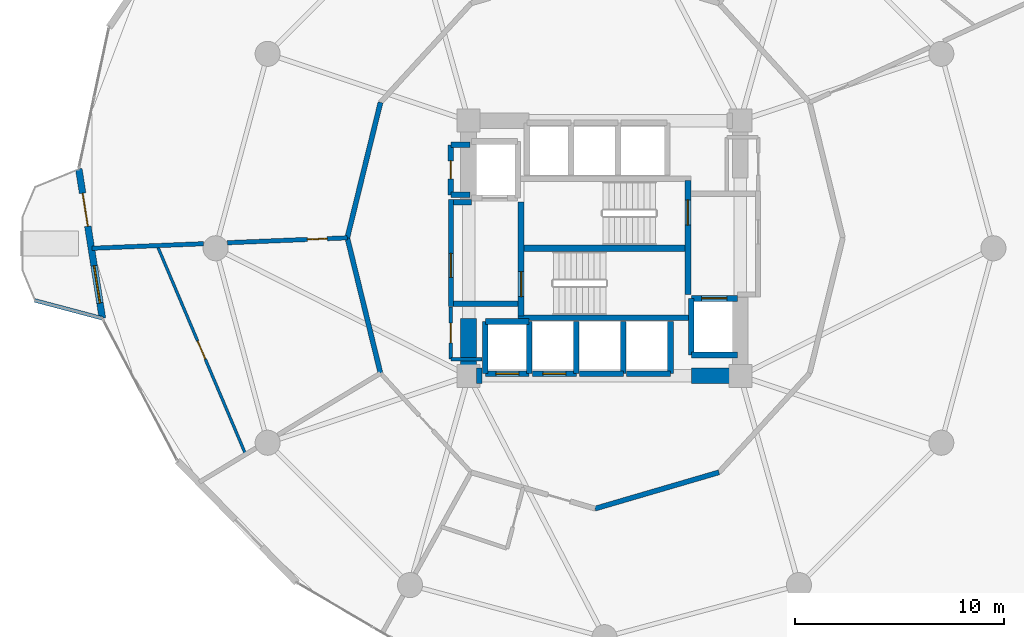
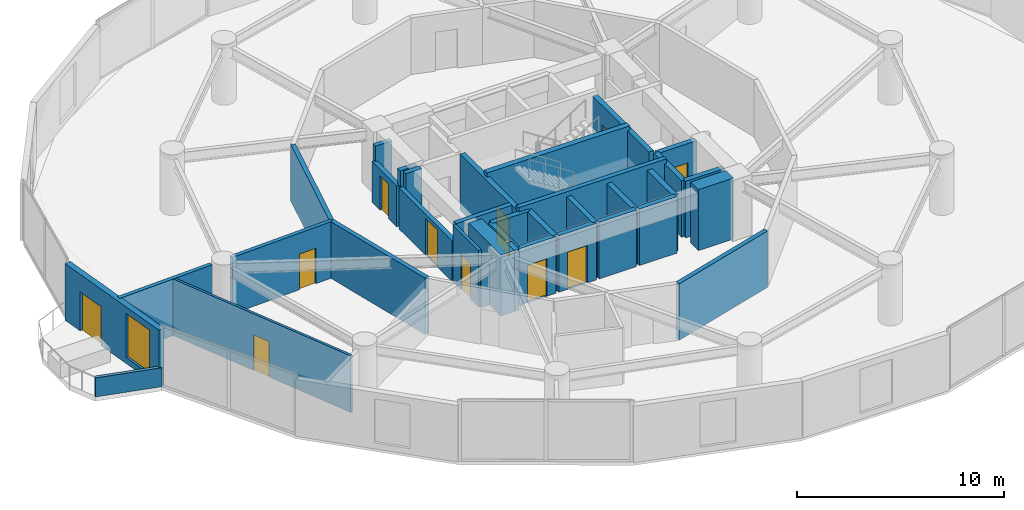
# One storey, part 20 of 24: 36 walls, 11 doors, 1 window, 12 openings.
"""IFC4 building model written with IfcOpenShell, lengths in metres."""

from ifc_helpers import new_model, si_unit, direction, frame, frame_2d, origin, place, context, subcontext, project, spatial, rectangle, extrude, material, layer, layer_set, type_object, element, fill, save


model = new_model("IFC4")

# Units and contexts
model_context = context("Model", 3, precision=1e-05, world=origin(), true_north=direction((0.0, 1.0)))
body_context = subcontext(model_context, "Body", "Model", "MODEL_VIEW")
ifc_project = project(units=[si_unit("LENGTHUNIT", "METRE"), si_unit("AREAUNIT", "SQUARE_METRE"), si_unit("VOLUMEUNIT", "CUBIC_METRE"), si_unit("PLANEANGLEUNIT", "RADIAN"), si_unit("MASSUNIT", "GRAM", prefix="KILO")], contexts=[model_context])

# Site, building, storey
site_placement = place(None, origin())
site = spatial("IfcSite", under=ifc_project, at=site_placement, CompositionType="ELEMENT")
building_placement = place(site_placement, origin())
building = spatial("IfcBuilding", under=site, at=building_placement, Name="Solvirekh Grand Hotel", CompositionType="ELEMENT")
storey_placement = place(building_placement, frame((0.0, 0.0, 82.39990234375)))
storey = spatial("IfcBuildingStorey", under=building, at=storey_placement, Name="L20", CompositionType="ELEMENT", Elevation=82.39990234375)

# Wall
ifc_material_1 = material(Name="Concrete C50/60", Category="concrete")
ifc_layer_1 = layer(ifc_material_1, 0.35009765625)
ifc_layer_set_1 = layer_set([ifc_layer_1], Name="Concrete C50/60")
wall_type_1 = type_object("IfcWallType", Name="CoreDivWall_RC350", PredefinedType="SOLIDWALL", material=ifc_layer_set_1)
wall_1_placement = place(storey_placement, frame((-4.1298828125, -3.324951171875, 0.0), z_axis=(0.0, 0.0, 1.0), x_axis=(1.0, 0.0, 0.0)))
element("IfcWall", 1, at=wall_1_placement, inside=storey, type_object=wall_type_1, Name="L20 core stair box wall ST-S", PredefinedType="SOLIDWALL", context=body_context, shape_type="SweptSolid", body=[
    extrude(rectangle(XDim=8.259765625, YDim=0.25, at=frame_2d((4.1298828125, 0.0))), origin(), (0.0, 0.0, 1.0), 3.60009765625),
])

# Wall, opening, door
ifc_material_2 = material(Name="Concrete C40/50", Category="concrete")
ifc_layer_2 = layer(ifc_material_2, 0.280029296875)
ifc_layer_set_2 = layer_set([ifc_layer_2], Name="Concrete C40/50")
wall_type_2 = type_object("IfcWallType", Name="CoreShaftWall_RC280", PredefinedType="SOLIDWALL", material=ifc_layer_set_2)
wall_2_placement = place(storey_placement, frame((-5.699951171875, -6.0, 0.0), z_axis=(0.0, 0.0, 1.0), x_axis=(1.0, 0.0, 0.0)))
wall_2 = element("IfcWall", 2, at=wall_2_placement, inside=storey, type_object=wall_type_2, Name="L20 LP-1 hoistway S wall", PredefinedType="SOLIDWALL", context=body_context, shape_type="SweptSolid", body=[
    extrude(rectangle(XDim=2.099853515625, YDim=0.280029296875, at=frame_2d((1.0498046875, 0.0))), origin(), (0.0, 0.0, 1.0), 3.340087890625),
])
opening_1_placement = place(wall_2_placement, frame((0.5, 0.0, 0.0)))
opening_1 = element("IfcOpeningElement", 3, at=opening_1_placement, cuts=wall_2, Name="Opening LD01", PredefinedType="OPENING", context=body_context, shape_type="SweptSolid", body=[
    extrude(rectangle(XDim=1.10009765625, YDim=2.199951171875, at=frame_2d((0.550048828125, 1.10009765625))), frame((0.0, 0.14990234375, 0.0), z_axis=(0.0, -1.0, 0.0), x_axis=(1.0, 0.0, 0.0)), (0.0, 0.0, 1.0), 0.300048828125),
])
ifc_material_3 = material(Name="Fire-Rated Steel Door Assembly", Category="steel")
door_type_1 = type_object("IfcDoorType", Name="Door_LiftLanding_1100X2200", OperationType="SLIDING_TO_LEFT", PredefinedType="DOOR", material=ifc_material_3)
door_1_placement = place(opening_1_placement, origin())
door_1 = element("IfcDoor", 4, at=door_1_placement, inside=storey, type_object=door_type_1, Name="L20 LP-1 sliding lift landing door", OperationType="SLIDING_TO_LEFT", OverallHeight=2.199951171875, OverallWidth=1.10009765625, PredefinedType="DOOR", context=body_context, shape_type="SweptSolid", body=[
    extrude(rectangle(XDim=1.10009765625, YDim=2.199951171875, at=frame_2d((0.550048828125, 1.10009765625))), frame((0.0, 0.02490234375, 0.0), z_axis=(0.0, -1.0, 0.0), x_axis=(1.0, 0.0, 0.0)), (0.0, 0.0, 1.0), 0.050048828125),
])
fill(opening_1, door_1)

# Walls
wall_3_placement = place(storey_placement, frame((-3.60009765625, -3.5, 0.0), z_axis=(0.0, 0.0, 1.0), x_axis=(-1.0, 0.0, 0.0)))
element("IfcWall", 5, at=wall_3_placement, inside=storey, type_object=wall_type_2, Name="L20 LP-1 hoistway N wall", PredefinedType="SOLIDWALL", context=body_context, shape_type="SweptSolid", body=[
    extrude(rectangle(XDim=2.099853515625, YDim=0.280029296875, at=frame_2d((1.0498046875, 0.0))), origin(), (0.0, 0.0, 1.0), 3.340087890625),
])
for number, where, z_axis, x_axis, name in (
    (6, (-5.699951171875, -3.5, 0.0), (0.0, 0.0, 1.0), (0.0, -1.0, 0.0), "L20 LP-1 hoistway W wall"),
    (7, (-3.60009765625, -6.0, 0.0), (0.0, 0.0, 1.0), (0.0, 1.0, 0.0), "L20 LP-1 hoistway E wall"),
):
    element("IfcWall", number, at=place(storey_placement, frame(where, z_axis=z_axis, x_axis=x_axis)), inside=storey, type_object=wall_type_2, Name=name, PredefinedType="SOLIDWALL", context=body_context, shape_type="SweptSolid", body=[
        extrude(rectangle(XDim=2.5, YDim=0.280029296875, at=frame_2d((1.25, 0.0))), origin(), (0.0, 0.0, 1.0), 3.340087890625),
    ])

# Wall, opening, door
wall_4_placement = place(storey_placement, frame((-3.449951171875, -6.0, 0.0), z_axis=(0.0, 0.0, 1.0), x_axis=(1.0, 0.0, 0.0)))
wall_4 = element("IfcWall", 8, at=wall_4_placement, inside=storey, type_object=wall_type_2, Name="L20 LP-2 hoistway S wall", PredefinedType="SOLIDWALL", context=body_context, shape_type="SweptSolid", body=[
    extrude(rectangle(XDim=2.099853515625, YDim=0.280029296875, at=frame_2d((1.0498046875, 0.0))), origin(), (0.0, 0.0, 1.0), 3.340087890625),
])
opening_2_placement = place(wall_4_placement, frame((0.5, 0.0, 0.0)))
opening_2 = element("IfcOpeningElement", 9, at=opening_2_placement, cuts=wall_4, Name="Opening LD01", PredefinedType="OPENING", context=body_context, shape_type="SweptSolid", body=[
    extrude(rectangle(XDim=1.10009765625, YDim=2.199951171875, at=frame_2d((0.550048828125, 1.10009765625))), frame((0.0, 0.14990234375, 0.0), z_axis=(0.0, -1.0, 0.0), x_axis=(1.0, 0.0, 0.0)), (0.0, 0.0, 1.0), 0.300048828125),
])
door_2_placement = place(opening_2_placement, origin())
door_2 = element("IfcDoor", 10, at=door_2_placement, inside=storey, type_object=door_type_1, Name="L20 LP-2 sliding lift landing door", OperationType="SLIDING_TO_LEFT", OverallHeight=2.199951171875, OverallWidth=1.10009765625, PredefinedType="DOOR", context=body_context, shape_type="SweptSolid", body=[
    extrude(rectangle(XDim=1.10009765625, YDim=2.199951171875, at=frame_2d((0.550048828125, 1.10009765625))), frame((0.0, 0.02490234375, 0.0), z_axis=(0.0, -1.0, 0.0), x_axis=(1.0, 0.0, 0.0)), (0.0, 0.0, 1.0), 0.050048828125),
])
fill(opening_2, door_2)

# Walls
wall_5_placement = place(storey_placement, frame((-1.35009765625, -6.0, 0.0), z_axis=(0.0, 0.0, 1.0), x_axis=(0.0, 1.0, 0.0)))
element("IfcWall", 11, at=wall_5_placement, inside=storey, type_object=wall_type_2, Name="L20 LP-2 hoistway E wall", PredefinedType="SOLIDWALL", context=body_context, shape_type="SweptSolid", body=[
    extrude(rectangle(XDim=2.5, YDim=0.280029296875, at=frame_2d((1.25, 0.0))), origin(), (0.0, 0.0, 1.0), 3.340087890625),
])
wall_6_placement = place(storey_placement, frame((-1.199951171875, -6.0, 0.0), z_axis=(0.0, 0.0, 1.0), x_axis=(1.0, 0.0, 0.0)))
element("IfcWall", 12, at=wall_6_placement, inside=storey, type_object=wall_type_2, Name="L20 MP-1 hoistway S wall", PredefinedType="SOLIDWALL", context=body_context, shape_type="SweptSolid", body=[
    extrude(rectangle(XDim=2.099853515625, YDim=0.280029296875, at=frame_2d((1.0498046875, 0.0))), origin(), (0.0, 0.0, 1.0), 3.340087890625),
])
wall_7_placement = place(storey_placement, frame((0.89990234375, -6.0, 0.0), z_axis=(0.0, 0.0, 1.0), x_axis=(0.0, 1.0, 0.0)))
element("IfcWall", 13, at=wall_7_placement, inside=storey, type_object=wall_type_2, Name="L20 MP-1 hoistway E wall", PredefinedType="SOLIDWALL", context=body_context, shape_type="SweptSolid", body=[
    extrude(rectangle(XDim=2.5, YDim=0.280029296875, at=frame_2d((1.25, 0.0))), origin(), (0.0, 0.0, 1.0), 3.340087890625),
])
wall_8_placement = place(storey_placement, frame((1.050048828125, -6.0, 0.0), z_axis=(0.0, 0.0, 1.0), x_axis=(1.0, 0.0, 0.0)))
element("IfcWall", 14, at=wall_8_placement, inside=storey, type_object=wall_type_2, Name="L20 MP-2 hoistway S wall", PredefinedType="SOLIDWALL", context=body_context, shape_type="SweptSolid", body=[
    extrude(rectangle(XDim=2.099853515625, YDim=0.280029296875, at=frame_2d((1.0498046875, 0.0))), origin(), (0.0, 0.0, 1.0), 3.340087890625),
])
wall_9_placement = place(storey_placement, frame((3.14990234375, -6.0, 0.0), z_axis=(0.0, 0.0, 1.0), x_axis=(0.0, 1.0, 0.0)))
element("IfcWall", 15, at=wall_9_placement, inside=storey, type_object=wall_type_2, Name="L20 MP-2 hoistway E wall", PredefinedType="SOLIDWALL", context=body_context, shape_type="SweptSolid", body=[
    extrude(rectangle(XDim=2.5, YDim=0.280029296875, at=frame_2d((1.25, 0.0))), origin(), (0.0, 0.0, 1.0), 3.340087890625),
])
wall_10_placement = place(storey_placement, frame((4.14990234375, -5.10009765625, 0.0), z_axis=(0.0, 0.0, 1.0), x_axis=(1.0, 0.0, 0.0)))
element("IfcWall", 16, at=wall_10_placement, inside=storey, type_object=wall_type_2, Name="L20 FL-2 hoistway S wall", PredefinedType="SOLIDWALL", context=body_context, shape_type="SweptSolid", body=[
    extrude(rectangle(XDim=2.2001953125, YDim=0.280029296875, at=frame_2d((1.10009765625, 0.0))), origin(), (0.0, 0.0, 1.0), 3.340087890625),
])

# Wall, opening, door
wall_11_placement = place(storey_placement, frame((6.35009765625, -2.39990234375, 0.0), z_axis=(0.0, 0.0, 1.0), x_axis=(-1.0, 0.0, 0.0)))
wall_11 = element("IfcWall", 17, at=wall_11_placement, inside=storey, type_object=wall_type_2, Name="L20 FL-2 hoistway N wall", PredefinedType="SOLIDWALL", context=body_context, shape_type="SweptSolid", body=[
    extrude(rectangle(XDim=2.2001953125, YDim=0.280029296875, at=frame_2d((1.10009765625, 0.0))), origin(), (0.0, 0.0, 1.0), 3.340087890625),
])
opening_3_placement = place(wall_11_placement, frame((0.5, 0.0, 0.0)))
opening_3 = element("IfcOpeningElement", 18, at=opening_3_placement, cuts=wall_11, Name="Opening LD02", PredefinedType="OPENING", context=body_context, shape_type="SweptSolid", body=[
    extrude(rectangle(XDim=1.199951171875, YDim=2.199951171875, at=frame_2d((0.60009765625, 1.10009765625))), frame((0.0, 0.14990234375, 0.0), z_axis=(0.0, -1.0, 0.0), x_axis=(1.0, 0.0, 0.0)), (0.0, 0.0, 1.0), 0.300048828125),
])
door_type_2 = type_object("IfcDoorType", Name="Door_LiftFF_1200X2200", OperationType="SLIDING_TO_LEFT", PredefinedType="DOOR", material=ifc_material_3)
door_3_placement = place(opening_3_placement, origin())
door_3 = element("IfcDoor", 19, at=door_3_placement, inside=storey, type_object=door_type_2, Name="L20 FL-2 sliding lift landing door", OperationType="SLIDING_TO_LEFT", OverallHeight=2.199951171875, OverallWidth=1.199951171875, PredefinedType="DOOR", context=body_context, shape_type="SweptSolid", body=[
    extrude(rectangle(XDim=1.199951171875, YDim=2.199951171875, at=frame_2d((0.60009765625, 1.10009765625))), frame((0.0, 0.02490234375, 0.0), z_axis=(0.0, -1.0, 0.0), x_axis=(1.0, 0.0, 0.0)), (0.0, 0.0, 1.0), 0.050048828125),
])
fill(opening_3, door_3)

# Wall
wall_12_placement = place(storey_placement, frame((4.14990234375, -2.39990234375, 0.0), z_axis=(0.0, 0.0, 1.0), x_axis=(0.0, -1.0, 0.0)))
element("IfcWall", 20, at=wall_12_placement, inside=storey, type_object=wall_type_2, Name="L20 FL-2 hoistway W wall", PredefinedType="SOLIDWALL", context=body_context, shape_type="SweptSolid", body=[
    extrude(rectangle(XDim=2.7001953125, YDim=0.280029296875, at=frame_2d((1.35009765625, 0.0))), origin(), (0.0, 0.0, 1.0), 3.340087890625),
])

# Wall, opening, door
wall_13_placement = place(storey_placement, frame((-3.989990234375, -3.25, 0.0), z_axis=(0.0, 0.0, 1.0), x_axis=(0.0, 1.0, 0.0)))
wall_13 = element("IfcWall", 21, at=wall_13_placement, inside=storey, type_object=wall_type_2, Name="L20 west stair landing enclosure wall", PredefinedType="SOLIDWALL", context=body_context, shape_type="SweptSolid", body=[
    extrude(rectangle(XDim=5.4599609375, YDim=0.280029296875, at=frame_2d((2.72998046875, 0.0))), origin(), (0.0, 0.0, 1.0), 3.340087890625),
])
opening_4_placement = place(wall_13_placement, frame((0.93701171875, 0.0, 0.0)))
opening_4 = element("IfcOpeningElement", 22, at=opening_4_placement, cuts=wall_13, Name="Opening D05", PredefinedType="OPENING", context=body_context, shape_type="SweptSolid", body=[
    extrude(rectangle(XDim=1.199951171875, YDim=2.199951171875, at=frame_2d((0.60009765625, 1.10009765625))), frame((0.0, 0.14990234375, 0.0), z_axis=(0.0, -1.0, 0.0), x_axis=(1.0, 0.0, 0.0)), (0.0, 0.0, 1.0), 0.300048828125),
])
door_type_3 = type_object("IfcDoorType", Name="Door_StairCore_1200X2200", OperationType="NOTDEFINED", PredefinedType="DOOR", material=ifc_material_3)
door_4_placement = place(opening_4_placement, origin())
door_4 = element("IfcDoor", 23, at=door_4_placement, inside=storey, type_object=door_type_3, Name="L20 exit stair ST-1 fire door", OperationType="SINGLE_SWING_RIGHT", OverallHeight=2.199951171875, OverallWidth=1.199951171875, PredefinedType="DOOR", context=body_context, shape_type="SweptSolid", body=[
    extrude(rectangle(XDim=1.199951171875, YDim=2.199951171875, at=frame_2d((0.60009765625, 1.10009765625))), frame((0.0, 0.02490234375, 0.0), z_axis=(0.0, -1.0, 0.0), x_axis=(1.0, 0.0, 0.0)), (0.0, 0.0, 1.0), 0.050048828125),
])
fill(opening_4, door_4)

wall_14_placement = place(storey_placement, frame((3.989990234375, -2.2099609375, 0.0), z_axis=(0.0, 0.0, 1.0), x_axis=(0.0, 1.0, 0.0)))
wall_14 = element("IfcWall", 24, at=wall_14_placement, inside=storey, type_object=wall_type_2, Name="L20 east stair landing enclosure wall", PredefinedType="SOLIDWALL", context=body_context, shape_type="SweptSolid", body=[
    extrude(rectangle(XDim=5.4599609375, YDim=0.280029296875, at=frame_2d((2.72998046875, 0.0))), origin(), (0.0, 0.0, 1.0), 3.340087890625),
])
opening_5_placement = place(wall_14_placement, frame((3.322998046875, 0.0, 0.0)))
opening_5 = element("IfcOpeningElement", 25, at=opening_5_placement, cuts=wall_14, Name="Opening D05", PredefinedType="OPENING", context=body_context, shape_type="SweptSolid", body=[
    extrude(rectangle(XDim=1.199951171875, YDim=2.199951171875, at=frame_2d((0.60009765625, 1.10009765625))), frame((0.0, 0.14990234375, 0.0), z_axis=(0.0, -1.0, 0.0), x_axis=(1.0, 0.0, 0.0)), (0.0, 0.0, 1.0), 0.300048828125),
])
door_5_placement = place(opening_5_placement, origin())
door_5 = element("IfcDoor", 26, at=door_5_placement, inside=storey, type_object=door_type_3, Name="L20 exit stair ST-2 fire door", OperationType="SINGLE_SWING_LEFT", OverallHeight=2.199951171875, OverallWidth=1.199951171875, PredefinedType="DOOR", context=body_context, shape_type="SweptSolid", body=[
    extrude(rectangle(XDim=1.199951171875, YDim=2.199951171875, at=frame_2d((0.60009765625, 1.10009765625))), frame((0.0, 0.02490234375, 0.0), z_axis=(0.0, -1.0, 0.0), x_axis=(1.0, 0.0, 0.0)), (0.0, 0.0, 1.0), 0.050048828125),
])
fill(opening_5, door_5)

# Walls
ifc_material_4 = material(Name="Concrete C60/75", Category="concrete")
ifc_layer_3 = layer(ifc_material_4, 0.75)
ifc_layer_set_3 = layer_set([ifc_layer_3], Name="Concrete C60/75")
wall_type_3 = type_object("IfcWallType", Name="CoreWall_RC750", PredefinedType="SHEAR", material=ifc_layer_set_3)
wall_15_placement = place(storey_placement, frame((-3.989990234375, 0.0, 0.0), z_axis=(0.0, 0.0, 1.0), x_axis=(1.0, 0.0, 0.0)))
element("IfcWall", 27, at=wall_15_placement, inside=storey, type_object=wall_type_3, Name="L20 central stair-spine shear wall", PredefinedType="SHEAR", context=body_context, shape_type="SweptSolid", body=[
    extrude(rectangle(XDim=7.97998046875, YDim=0.300048828125, at=frame_2d((3.989990234375, 0.0))), origin(), (0.0, 0.0, 1.0), 3.60009765625),
])
wall_16_placement = place(storey_placement, frame((-6.125, -6.10009765625, 0.0), z_axis=(0.0, 0.0, 1.0), x_axis=(1.0, 0.0, 0.0)))
element("IfcWall", 28, at=wall_16_placement, inside=storey, type_object=wall_type_3, Name="L20 core corner shear wall SW-S", PredefinedType="SHEAR", context=body_context, shape_type="SweptSolid", body=[
    extrude(rectangle(XDim=0.27490234375, YDim=0.75, at=frame_2d((0.137451171875, 0.0))), origin(), (0.0, 0.0, 1.0), 3.60009765625),
])
wall_17_placement = place(storey_placement, frame((4.14990234375, -6.10009765625, 0.0), z_axis=(0.0, 0.0, 1.0), x_axis=(1.0, 0.0, 0.0)))
element("IfcWall", 29, at=wall_17_placement, inside=storey, type_object=wall_type_3, Name="L20 core corner shear wall SE-S", PredefinedType="SHEAR", context=body_context, shape_type="SweptSolid", body=[
    extrude(rectangle(XDim=1.97509765625, YDim=0.75, at=frame_2d((0.987548828125, 0.0))), origin(), (0.0, 0.0, 1.0), 3.60009765625),
])
wall_18_placement = place(storey_placement, frame((-6.5, -6.47509765625, 0.0), z_axis=(0.0, 0.0, 1.0), x_axis=(0.0, 1.0, 0.0)))
element("IfcWall", 30, at=wall_18_placement, inside=storey, type_object=wall_type_3, Name="L20 core corner shear wall WS-W", PredefinedType="SHEAR", context=body_context, shape_type="SweptSolid", body=[
    extrude(rectangle(XDim=3.125, YDim=0.75, at=frame_2d((1.5625, 0.0))), origin(), (0.0, 0.0, 1.0), 3.60009765625),
])

# Wall, openings, door, window
ifc_material_5 = material(Name="Precast concrete C45/55", Category="concrete")
ifc_layer_4 = layer(ifc_material_5, 0.320068359375)
ifc_layer_set_4 = layer_set([ifc_layer_4], Name="Precast concrete C45/55")
wall_type_4 = type_object("IfcWallType", Name="ExtLobbyWall_RC320", PredefinedType="SOLIDWALL", material=ifc_layer_set_4)
wall_19_placement = place(storey_placement, frame((-24.011962890625, -3.35107421875, 0.0), z_axis=(0.0, 0.0, 1.0), x_axis=(-0.156096023317, 0.987741885061, 0.0)))
wall_19 = element("IfcWall", 31, at=wall_19_placement, inside=storey, type_object=wall_type_4, Name="L20 exterior structural wall chord 12", PredefinedType="SOLIDWALL", context=body_context, shape_type="SweptSolid", body=[
    extrude(rectangle(XDim=7.233642578125, YDim=0.320068359375, at=frame_2d((3.61669921875, 0.0))), origin(), (0.0, 0.0, 1.0), 3.340087890625),
])
opening_6_placement = place(wall_19_placement, frame((0.742919921875, 0.0, 0.35009765625)))
opening_6 = element("IfcOpeningElement", 32, at=opening_6_placement, cuts=wall_19, Name="Opening W02", PredefinedType="OPENING", context=body_context, shape_type="SweptSolid", body=[
    extrude(rectangle(XDim=1.800048828125, YDim=2.60009765625, at=frame_2d((0.89990234375, 1.300048828125))), frame((0.0, 0.169921875, 0.0), z_axis=(0.0, -1.0, 0.0), x_axis=(1.0, 0.0, 0.0)), (0.0, 0.0, 1.0), 0.340087890625),
])
opening_7_placement = place(wall_19_placement, frame((4.4599609375, 0.0, 0.0)))
opening_7 = element("IfcOpeningElement", 33, at=opening_7_placement, cuts=wall_19, Name="Opening D04", PredefinedType="OPENING", context=body_context, shape_type="SweptSolid", body=[
    extrude(rectangle(XDim=1.60009765625, YDim=2.300048828125, at=frame_2d((0.800048828125, 1.14990234375))), frame((0.0, 0.169921875, 0.0), z_axis=(0.0, -1.0, 0.0), x_axis=(1.0, 0.0, 0.0)), (0.0, 0.0, 1.0), 0.340087890625),
])
ifc_material_6 = material(Name="Anodized Bronze Aluminium 6063-T6", Category="aluminium")
door_type_4 = type_object("IfcDoorType", Name="Door_ExtTerrace_1600X2300", OperationType="NOTDEFINED", PredefinedType="DOOR", material=ifc_material_6)
door_6_placement = place(opening_7_placement, origin())
door_6 = element("IfcDoor", 34, at=door_6_placement, inside=storey, type_object=door_type_4, Name="L20 West horn sky-garden terrace door (12)", OperationType="SINGLE_SWING_RIGHT", OverallHeight=2.300048828125, OverallWidth=1.60009765625, PredefinedType="DOOR", context=body_context, shape_type="SweptSolid", body=[
    extrude(rectangle(XDim=1.60009765625, YDim=2.300048828125, at=frame_2d((0.800048828125, 1.14990234375))), frame((0.0, 0.02490234375, 0.0), z_axis=(0.0, -1.0, 0.0), x_axis=(1.0, 0.0, 0.0)), (0.0, 0.0, 1.0), 0.050048828125),
])
fill(opening_7, door_6)
ifc_material_7 = material(Name="Low-E Tinted Bronze Laminated Glass", Category="aluminium")
window_type = type_object("IfcWindowType", Name="Win_LobbyExt_1800X2600", PartitioningType="SINGLE_PANEL", PredefinedType="WINDOW", material=ifc_material_7)
window_placement = place(opening_6_placement, origin())
window = element("IfcWindow", 35, at=window_placement, inside=storey, type_object=window_type, Name="L20 exterior side window 12", OverallHeight=2.60009765625, OverallWidth=1.800048828125, PartitioningType="SINGLE_PANEL", PredefinedType="WINDOW", context=body_context, shape_type="SweptSolid", body=[
    extrude(rectangle(XDim=1.800048828125, YDim=2.60009765625, at=frame_2d((0.89990234375, 1.300048828125))), frame((0.0, 0.030029296875, 0.0), z_axis=(0.0, -1.0, 0.0), x_axis=(1.0, 0.0, 0.0)), (0.0, 0.0, 1.0), 0.06005859375),
])
fill(opening_6, window)

# Walls
ifc_layer_5 = layer(ifc_material_5, 0.179931640625)
ifc_layer_set_5 = layer_set([ifc_layer_5], Name="Precast concrete C45/55")
wall_type_5 = type_object("IfcWallType", Name="ExtPlanterWall_180", PredefinedType="PARAPET", material=ifc_layer_set_5)
wall_20_placement = place(storey_placement, frame((-27.240966796875, -2.493896484375, 0.0), z_axis=(0.0, 0.0, 1.0), x_axis=(0.966524212646, -0.25657542043, 0.0)))
element("IfcWall", 36, at=wall_20_placement, inside=storey, type_object=wall_type_5, Name="L20 horn sky-garden planter parapet", PredefinedType="PARAPET", context=body_context, shape_type="SweptSolid", body=[
    extrude(rectangle(XDim=3.3408203125, YDim=0.179931640625, at=frame_2d((1.67041015625, 0.0))), origin(), (0.0, 0.0, 1.0), 1.1201171875),
])
ifc_material_8 = material(Name="Acoustic Gypsum Partition Assembly")
ifc_layer_6 = layer(ifc_material_8, 0.1650390625)
ifc_layer_set_6 = layer_set([ifc_layer_6], Name="Acoustic Gypsum Partition Assembly")
wall_type_6 = type_object("IfcWallType", Name="Part_BOH_165", PredefinedType="PARTITIONING", material=ifc_layer_set_6)
wall_21_placement = place(storey_placement, frame((-7.35009765625, -5.300048828125, 0.0), z_axis=(0.0, 0.0, 1.0), x_axis=(1.0, 0.0, 0.0)))
element("IfcWall", 37, at=wall_21_placement, inside=storey, type_object=wall_type_6, Name="L20 L20 Core Linen Store wall 1", PredefinedType="PARTITIONING", context=body_context, shape_type="SweptSolid", body=[
    extrude(rectangle(XDim=1.5, YDim=0.1650390625, at=frame_2d((0.75, 0.0))), origin(), (0.0, 0.0, 1.0), 2.425048828125),
])

# Wall, opening, door
wall_22_placement = place(storey_placement, frame((-7.35009765625, -2.800048828125, 0.0), z_axis=(0.0, 0.0, 1.0), x_axis=(0.0, -1.0, 0.0)))
wall_22 = element("IfcWall", 38, at=wall_22_placement, inside=storey, type_object=wall_type_6, Name="L20 L20 Core Linen Store wall 4", PredefinedType="PARTITIONING", context=body_context, shape_type="SweptSolid", body=[
    extrude(rectangle(XDim=2.5, YDim=0.1650390625, at=frame_2d((1.25, 0.0))), origin(), (0.0, 0.0, 1.0), 3.340087890625),
])
opening_8_placement = place(wall_22_placement, frame((0.77490234375, 0.0, 0.0)))
opening_8 = element("IfcOpeningElement", 39, at=opening_8_placement, cuts=wall_22, Name="Opening D10", PredefinedType="OPENING", context=body_context, shape_type="SweptSolid", body=[
    extrude(rectangle(XDim=0.949951171875, YDim=2.10009765625, at=frame_2d((0.47509765625, 1.050048828125))), frame((0.0, 0.092529296875, 0.0), z_axis=(0.0, -1.0, 0.0), x_axis=(1.0, 0.0, 0.0)), (0.0, 0.0, 1.0), 0.18505859375),
])
door_type_5 = type_object("IfcDoorType", Name="Door_RoomInt_950X2100", OperationType="NOTDEFINED", PredefinedType="DOOR", material=ifc_material_6)
door_7_placement = place(opening_8_placement, origin())
door_7 = element("IfcDoor", 40, at=door_7_placement, inside=storey, type_object=door_type_5, Name="L20 L20 Core Linen Store door", OperationType="SINGLE_SWING_LEFT", OverallHeight=2.10009765625, OverallWidth=0.949951171875, PredefinedType="DOOR", context=body_context, shape_type="SweptSolid", body=[
    extrude(rectangle(XDim=0.949951171875, YDim=2.10009765625, at=frame_2d((0.47509765625, 1.050048828125))), frame((0.0, 0.02490234375, 0.0), z_axis=(0.0, -1.0, 0.0), x_axis=(1.0, 0.0, 0.0)), (0.0, 0.0, 1.0), 0.050048828125),
])
fill(opening_8, door_7)

ifc_layer_7 = layer(ifc_material_8, 0.239990234375)
ifc_layer_set_7 = layer_set([ifc_layer_7], Name="Acoustic Gypsum Partition Assembly")
wall_type_7 = type_object("IfcWallType", Name="Part_Corridor_240", PredefinedType="PARTITIONING", material=ifc_layer_set_7)
wall_23_placement = place(storey_placement, frame((-7.35009765625, -2.780029296875, 0.0), z_axis=(0.0, 0.0, 1.0), x_axis=(0.0, 1.0, 0.0)))
wall_23 = element("IfcWall", 41, at=wall_23_placement, inside=storey, type_object=wall_type_7, Name="L20 west firefighting lobby smoke screen wall", PredefinedType="PARTITIONING", context=body_context, shape_type="SweptSolid", body=[
    extrude(rectangle(XDim=5.1201171875, YDim=0.239990234375, at=frame_2d((2.56005859375, 0.0))), origin(), (0.0, 0.0, 1.0), 2.425048828125),
])
opening_9_placement = place(wall_23_placement, frame((1.388916015625, 0.0, 0.0)))
opening_9 = element("IfcOpeningElement", 42, at=opening_9_placement, cuts=wall_23, Name="Opening D06", PredefinedType="OPENING", context=body_context, shape_type="SweptSolid", body=[
    extrude(rectangle(XDim=1.14990234375, YDim=2.199951171875, at=frame_2d((0.574951171875, 1.10009765625))), frame((0.0, 0.1298828125, 0.0), z_axis=(0.0, -1.0, 0.0), x_axis=(1.0, 0.0, 0.0)), (0.0, 0.0, 1.0), 0.260009765625),
])
door_type_6 = type_object("IfcDoorType", Name="Door_FFLobby_1150X2200", OperationType="NOTDEFINED", PredefinedType="DOOR", material=ifc_material_3)
door_8_placement = place(opening_9_placement, origin())
door_8 = element("IfcDoor", 43, at=door_8_placement, inside=storey, type_object=door_type_6, Name="L20 west firefighting lobby smoke door", OperationType="SINGLE_SWING_RIGHT", OverallHeight=2.199951171875, OverallWidth=1.14990234375, PredefinedType="DOOR", context=body_context, shape_type="SweptSolid", body=[
    extrude(rectangle(XDim=1.14990234375, YDim=2.199951171875, at=frame_2d((0.574951171875, 1.10009765625))), frame((0.0, 0.02490234375, 0.0), z_axis=(0.0, -1.0, 0.0), x_axis=(1.0, 0.0, 0.0)), (0.0, 0.0, 1.0), 0.050048828125),
])
fill(opening_9, door_8)

# Walls
wall_24_placement = place(storey_placement, frame((-0.449951171875, -12.449951171875, 0.0), z_axis=(0.0, 0.0, 1.0), x_axis=(0.959706719045, 0.281003582576, 0.0)))
element("IfcWall", 44, at=wall_24_placement, inside=storey, type_object=wall_type_7, Name="L20 Presidential Suite 2201 Living Room corridor wall 1", PredefinedType="PARTITIONING", context=body_context, shape_type="SweptSolid", body=[
    extrude(rectangle(XDim=6.173828125, YDim=0.239990234375, at=frame_2d((3.0869140625, 0.0))), origin(), (0.0, 0.0, 1.0), 3.340087890625),
])
for number, where, z_axis, x_axis, name in (
    (45, (-10.7119140625, 6.97509765625, 0.0), (0.0, 0.0, 1.0), (-0.238207841689, -0.971214200966, 0.0), "L20 Presidential Suite 2202 Living Room corridor wall 3"),
    (46, (-12.300048828125, 0.5, 0.0), (0.0, 0.0, 1.0), (0.238207841689, -0.971214200966, 0.0), "L20 Presidential Suite 2202 Suite Foyer corridor enclosure wall"),
):
    element("IfcWall", number, at=place(storey_placement, frame(where, z_axis=z_axis, x_axis=x_axis)), inside=storey, type_object=wall_type_7, Name=name, PredefinedType="PARTITIONING", context=body_context, shape_type="SweptSolid", body=[
        extrude(rectangle(XDim=6.6669921875, YDim=0.239990234375, at=frame_2d((3.33349609375, 0.0))), origin(), (0.0, 0.0, 1.0), 3.340087890625),
    ])
ifc_layer_8 = layer(ifc_material_8, 0.260009765625)
ifc_layer_set_8 = layer_set([ifc_layer_8], Name="Acoustic Gypsum Partition Assembly")
wall_type_8 = type_object("IfcWallType", Name="Part_LobbyFF_260", PredefinedType="PARTITIONING", material=ifc_layer_set_8)
wall_25_placement = place(storey_placement, frame((-7.22509765625, -2.64990234375, 0.0), z_axis=(0.0, 0.0, 1.0), x_axis=(1.0, 0.0, 0.0)))
element("IfcWall", 47, at=wall_25_placement, inside=storey, type_object=wall_type_8, Name="L20 west firefighting lobby south partition", PredefinedType="PARTITIONING", context=body_context, shape_type="SweptSolid", body=[
    extrude(rectangle(XDim=3.09521484375, YDim=0.260009765625, at=frame_2d((1.547607421875, 0.0))), origin(), (0.0, 0.0, 1.0), 3.340087890625),
])
wall_26_placement = place(storey_placement, frame((-7.22509765625, 2.2099609375, 0.0), z_axis=(0.0, 0.0, 1.0), x_axis=(1.0, 0.0, 0.0)))
element("IfcWall", 48, at=wall_26_placement, inside=storey, type_object=wall_type_8, Name="L20 west firefighting lobby NW cheek", PredefinedType="PARTITIONING", context=body_context, shape_type="SweptSolid", body=[
    extrude(rectangle(XDim=0.875, YDim=0.260009765625, at=frame_2d((0.4375, 0.0))), origin(), (0.0, 0.0, 1.0), 3.340087890625),
])
for number, where, z_axis, x_axis, name in (
    (49, (-7.35009765625, 4.949951171875, 0.0), (0.0, 0.0, 1.0), (1.0, 0.0, 0.0), "L20 NW telecom metering cupboard north wall"),
    (50, (-7.35009765625, 2.550048828125, 0.0), (0.0, 0.0, 1.0), (1.0, 0.0, 0.0), "L20 NW telecom metering cupboard south wall"),
):
    element("IfcWall", number, at=place(storey_placement, frame(where, z_axis=z_axis, x_axis=x_axis)), inside=storey, type_object=wall_type_8, Name=name, PredefinedType="PARTITIONING", context=body_context, shape_type="SweptSolid", body=[
        extrude(rectangle(XDim=0.93017578125, YDim=0.260009765625, at=frame_2d((0.465087890625, 0.0))), origin(), (0.0, 0.0, 1.0), 3.340087890625),
    ])

# Wall, opening, door
wall_27_placement = place(storey_placement, frame((-7.35009765625, 2.550048828125, 0.0), z_axis=(0.0, 0.0, 1.0), x_axis=(0.0, 1.0, 0.0)))
wall_27 = element("IfcWall", 51, at=wall_27_placement, inside=storey, type_object=wall_type_8, Name="L20 NW telecom metering cupboard access wall", PredefinedType="PARTITIONING", context=body_context, shape_type="SweptSolid", body=[
    extrude(rectangle(XDim=2.39990234375, YDim=0.260009765625, at=frame_2d((1.199951171875, 0.0))), origin(), (0.0, 0.0, 1.0), 2.425048828125),
])
opening_10_placement = place(wall_27_placement, frame((0.77490234375, 0.0, 0.0)))
opening_10 = element("IfcOpeningElement", 52, at=opening_10_placement, cuts=wall_27, Name="Opening D13", PredefinedType="OPENING", context=body_context, shape_type="SweptSolid", body=[
    extrude(rectangle(XDim=0.85009765625, YDim=2.050048828125, at=frame_2d((0.425048828125, 1.02490234375))), frame((0.0, 0.14013671875, 0.0), z_axis=(0.0, -1.0, 0.0), x_axis=(1.0, 0.0, 0.0)), (0.0, 0.0, 1.0), 0.280029296875),
])
door_type_7 = type_object("IfcDoorType", Name="Door_RiserShaft_850X2050", OperationType="NOTDEFINED", PredefinedType="DOOR", material=ifc_material_3)
door_9_placement = place(opening_10_placement, origin())
door_9 = element("IfcDoor", 53, at=door_9_placement, inside=storey, type_object=door_type_7, Name="L20 telecom metering cupboard access door", OperationType="SINGLE_SWING_RIGHT", OverallHeight=2.050048828125, OverallWidth=0.85009765625, PredefinedType="DOOR", context=body_context, shape_type="SweptSolid", body=[
    extrude(rectangle(XDim=0.85009765625, YDim=2.050048828125, at=frame_2d((0.425048828125, 1.02490234375))), frame((0.0, 0.02490234375, 0.0), z_axis=(0.0, -1.0, 0.0), x_axis=(1.0, 0.0, 0.0)), (0.0, 0.0, 1.0), 0.050048828125),
])
fill(opening_10, door_9)

ifc_layer_9 = layer(ifc_material_8, 0.135009765625)
ifc_layer_set_9 = layer_set([ifc_layer_9], Name="Acoustic Gypsum Partition Assembly")
wall_type_9 = type_object("IfcWallType", Name="Part_RoomInt_135", PredefinedType="PARTITIONING", material=ifc_layer_set_9)
wall_28_placement = place(storey_placement, frame((-21.389892578125, 0.1279296875, 0.0), z_axis=(0.0, 0.0, 1.0), x_axis=(0.389972023746, -0.920826705029, 0.0)))
wall_28 = element("IfcWall", 54, at=wall_28_placement, inside=storey, type_object=wall_type_9, Name="L20 Presidential Suite 2202 Suite Foyer bedroom screen wall", PredefinedType="PARTITIONING", context=body_context, shape_type="SweptSolid", body=[
    extrude(rectangle(XDim=10.84130859375, YDim=0.135009765625, at=frame_2d((5.420654296875, 0.0))), origin(), (0.0, 0.0, 1.0), 3.340087890625),
])
opening_11_placement = place(wall_28_placement, frame((4.946044921875, 0.0, 0.0)))
opening_11 = element("IfcOpeningElement", 55, at=opening_11_placement, cuts=wall_28, Name="Opening D10", PredefinedType="OPENING", context=body_context, shape_type="SweptSolid", body=[
    extrude(rectangle(XDim=0.949951171875, YDim=2.10009765625, at=frame_2d((0.47509765625, 1.050048828125))), frame((0.0, 0.07763671875, 0.0), z_axis=(0.0, -1.0, 0.0), x_axis=(1.0, 0.0, 0.0)), (0.0, 0.0, 1.0), 0.155029296875),
])
door_10_placement = place(opening_11_placement, origin())
door_10 = element("IfcDoor", 56, at=door_10_placement, inside=storey, type_object=door_type_5, Name="L20 Presidential Suite 2202 Suite Foyer master bedroom door", OperationType="SINGLE_SWING_RIGHT", OverallHeight=2.10009765625, OverallWidth=0.949951171875, PredefinedType="DOOR", context=body_context, shape_type="SweptSolid", body=[
    extrude(rectangle(XDim=0.949951171875, YDim=2.10009765625, at=frame_2d((0.47509765625, 1.050048828125))), frame((0.0, 0.02490234375, 0.0), z_axis=(0.0, -1.0, 0.0), x_axis=(1.0, 0.0, 0.0)), (0.0, 0.0, 1.0), 0.050048828125),
])
fill(opening_11, door_10)

ifc_layer_10 = layer(ifc_material_8, 0.2099609375)
ifc_layer_set_10 = layer_set([ifc_layer_10], Name="Acoustic Gypsum Partition Assembly")
wall_type_10 = type_object("IfcWallType", Name="Part_SuiteDemise_210", PredefinedType="PARTITIONING", material=ifc_layer_set_10)
wall_29_placement = place(storey_placement, frame((-12.300048828125, 0.5, 0.0), z_axis=(0.0, 0.0, 1.0), x_axis=(-0.999161926823, -0.040932187669, 0.0)))
wall_29 = element("IfcWall", 57, at=wall_29_placement, inside=storey, type_object=wall_type_10, Name="L20 suite radial wall 7 (A)", PredefinedType="PARTITIONING", context=body_context, shape_type="SweptSolid", body=[
    extrude(rectangle(XDim=5.743896484375, YDim=0.2099609375, at=frame_2d((2.8720703125, 0.0))), origin(), (0.0, 0.0, 1.0), 3.340087890625),
])
opening_12_placement = place(wall_29_placement, frame((0.958984375, 0.0, 0.0)))
opening_12 = element("IfcOpeningElement", 58, at=opening_12_placement, cuts=wall_29, Name="Opening D10", PredefinedType="OPENING", context=body_context, shape_type="SweptSolid", body=[
    extrude(rectangle(XDim=0.949951171875, YDim=2.10009765625, at=frame_2d((0.47509765625, 1.050048828125))), frame((0.0, 0.114990234375, 0.0), z_axis=(0.0, -1.0, 0.0), x_axis=(1.0, 0.0, 0.0)), (0.0, 0.0, 1.0), 0.22998046875),
])
door_11_placement = place(opening_12_placement, origin())
door_11 = element("IfcDoor", 59, at=door_11_placement, inside=storey, type_object=door_type_5, Name="L20 Presidential Suite 2202 Suite Foyer suite connecting door", OperationType="SINGLE_SWING_LEFT", OverallHeight=2.10009765625, OverallWidth=0.949951171875, PredefinedType="DOOR", context=body_context, shape_type="SweptSolid", body=[
    extrude(rectangle(XDim=0.949951171875, YDim=2.10009765625, at=frame_2d((0.47509765625, 1.050048828125))), frame((0.0, 0.02490234375, 0.0), z_axis=(0.0, -1.0, 0.0), x_axis=(1.0, 0.0, 0.0)), (0.0, 0.0, 1.0), 0.050048828125),
])
fill(opening_12, door_11)

# Wall
wall_30_placement = place(storey_placement, frame((-19.179931640625, 0.218017578125, 0.0), z_axis=(0.0, 0.0, 1.0), x_axis=(-0.999161981527, -0.04093085231, 0.0)))
element("IfcWall", 60, at=wall_30_placement, inside=storey, type_object=wall_type_10, Name="L20 suite radial wall 7 (B)", PredefinedType="PARTITIONING", context=body_context, shape_type="SweptSolid", body=[
    extrude(rectangle(XDim=5.326416015625, YDim=0.2099609375, at=frame_2d((2.6630859375, 0.0))), origin(), (0.0, 0.0, 1.0), 3.340087890625),
])

save(model, "model.ifc")
